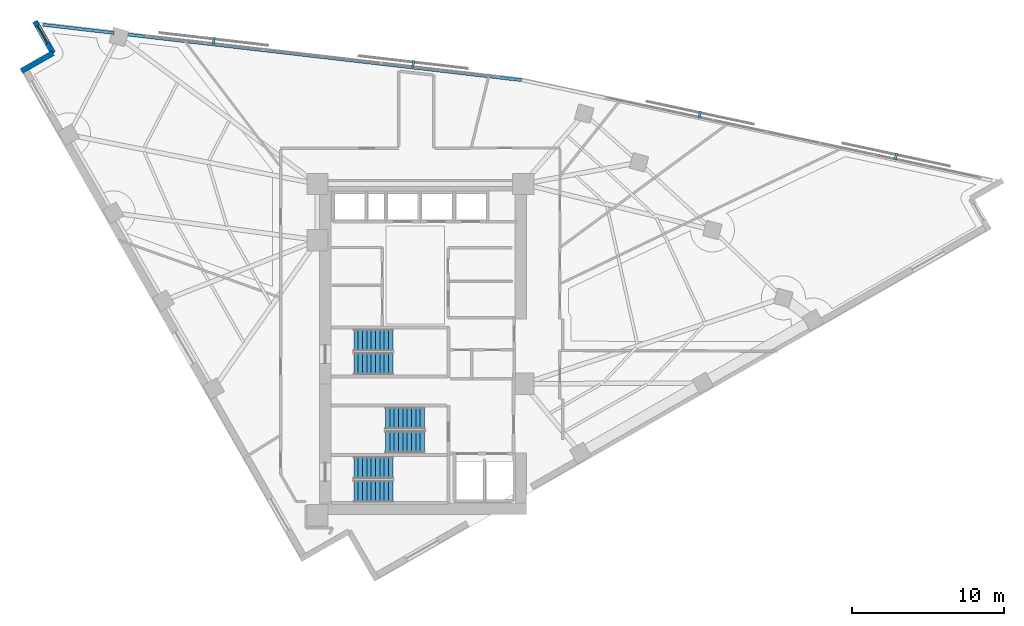
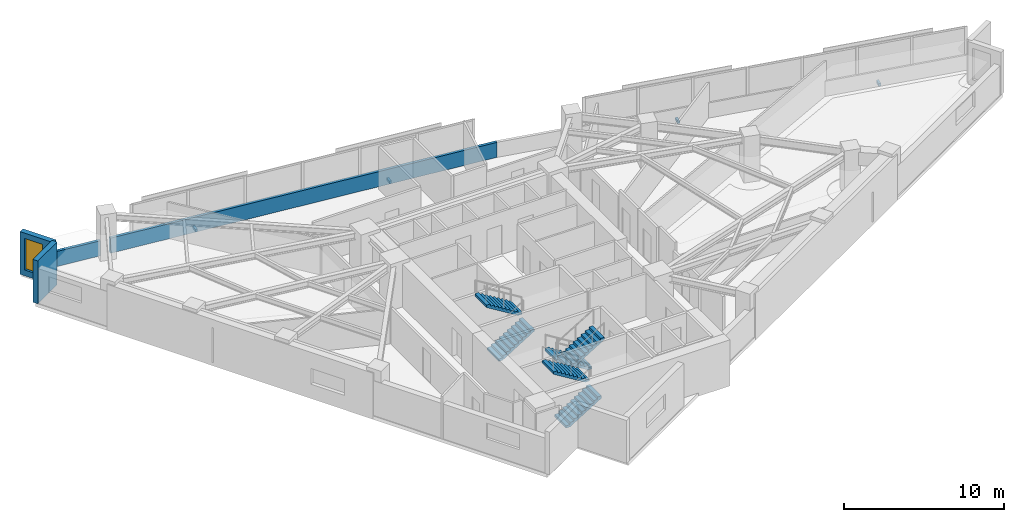
# One storey, part 12 of 14: 6 stair flights, 4 discrete accessories, 4 walls, 1 window, 1 opening, 3 elements without a shape of their own.
"""IFC4 building model written with IfcOpenShell, lengths in metres."""

from ifc_helpers import new_model, si_unit, direction, frame, frame_2d, origin, origin_2d, place, context, subcontext, project, spatial, polyline, rectangle, outline, extrude, material, layer, layer_set, type_object, element, fill, aggregate, save


model = new_model("IFC4")

# Units and contexts
model_context = context("Model", 3, precision=1e-05, world=origin(), true_north=direction((0.0, 1.0)))
body_context = subcontext(model_context, "Body", "Model", "MODEL_VIEW")
ifc_project = project(units=[si_unit("LENGTHUNIT", "METRE"), si_unit("AREAUNIT", "SQUARE_METRE"), si_unit("VOLUMEUNIT", "CUBIC_METRE"), si_unit("PLANEANGLEUNIT", "RADIAN"), si_unit("MASSUNIT", "GRAM", prefix="KILO")], contexts=[model_context])

# Site, building, storey
site_placement = place(None, origin())
site = spatial("IfcSite", under=ifc_project, at=site_placement, CompositionType="ELEMENT")
building_placement = place(site_placement, origin())
building = spatial("IfcBuilding", under=site, at=building_placement, Name="Narakoshi Arena Tower", CompositionType="ELEMENT")
storey_placement = place(building_placement, frame((0.0, 0.0, 204.419921875)))
storey = spatial("IfcBuildingStorey", under=building, at=storey_placement, Name="L55", CompositionType="ELEMENT", Elevation=204.419921875)

# Walls
ifc_material_1 = material(Name="Precast concrete C45/55", Category="concrete")
ifc_layer_1 = layer(ifc_material_1, 0.25)
ifc_layer_set_1 = layer_set([ifc_layer_1], Name="Precast concrete C45/55")
wall_type_1 = type_object("IfcWallType", Name="WL-PARA-250", PredefinedType="PARAPET", material=ifc_layer_set_1)
wall_1_placement = place(storey_placement, frame((85.42431640625, 63.33837890625, 0.0), z_axis=(0.0, 0.0, 1.0), x_axis=(-0.993364714048, 0.115006716693, 0.0)))
element("IfcWall", 1, at=wall_1_placement, inside=storey, type_object=wall_type_1, Name="L55 Hypotenuse Sill Upstand Parapet 2-01", PredefinedType="PARAPET", context=body_context, shape_type="SweptSolid", body=[
    extrude(rectangle(XDim=26.302001953125, YDim=0.199951171875, at=frame_2d((13.15087890625, 0.0))), origin(), (0.0, 0.0, 1.0), 1.150146484375),
])
wall_2_placement = place(storey_placement, frame((58.621826171875, 66.44140625, 0.0), z_axis=(0.0, 0.0, 1.0), x_axis=(-0.993362937665, 0.115022059074, 0.0)))
element("IfcWall", 2, at=wall_2_placement, inside=storey, type_object=wall_type_1, Name="L55 Hypotenuse Sill Upstand Parapet 2-02", PredefinedType="PARAPET", context=body_context, shape_type="SweptSolid", body=[
    extrude(rectangle(XDim=4.72705078125, YDim=0.199951171875, at=frame_2d((2.363525390625, 0.0))), origin(), (0.0, 0.0, 1.0), 1.150146484375),
])

# Wall, opening, window
ifc_layer_2 = layer(ifc_material_1, 0.419921875)
ifc_layer_set_2 = layer_set([ifc_layer_2], Name="Precast concrete C45/55")
wall_type_2 = type_object("IfcWallType", Name="WL-POD-420", PredefinedType="SOLIDWALL", material=ifc_layer_set_2)
wall_3_placement = place(storey_placement, frame((53.408203125, 67.2060546875, 0.0), z_axis=(0.0, 0.0, 1.0), x_axis=(0.496292324652, -0.868155474838, 0.0)))
wall_3 = element("IfcWall", 3, at=wall_3_placement, inside=storey, type_object=wall_type_2, Name="L55 Re-Entrant Corner Notch Wall NTN-1", PredefinedType="SOLIDWALL", context=body_context, shape_type="SweptSolid", body=[
    extrude(rectangle(XDim=2.399658203125, YDim=0.360107421875, at=frame_2d((1.19970703125, 0.0))), origin(), (0.0, 0.0, 1.0), 3.260009765625),
])
opening_placement = place(wall_3_placement, frame((0.340087890625, 0.0, 0.449951171875)))
opening = element("IfcOpeningElement", 4, at=opening_placement, cuts=wall_3, Name="Opening WN-06", PredefinedType="OPENING", context=body_context, shape_type="SweptSolid", body=[
    extrude(rectangle(XDim=1.300048828125, YDim=2.39990234375, at=frame_2d((0.64990234375, 1.199951171875))), frame((0.0, 0.18994140625, 0.0), z_axis=(0.0, -1.0, 0.0), x_axis=(1.0, 0.0, 0.0)), (0.0, 0.0, 1.0), 0.380126953125),
])
ifc_material_2 = material(Name="Bronze-tinted low-E laminated glass", Category="glass")
window_type = type_object("IfcWindowType", Name="WIN-NTC-16x24", PartitioningType="SINGLE_PANEL", PredefinedType="WINDOW", material=ifc_material_2)
window_placement = place(opening_placement, origin())
window = element("IfcWindow", 5, at=window_placement, inside=storey, type_object=window_type, Name="L55 Corner Notch Window NTN", OverallHeight=2.39990234375, OverallWidth=1.300048828125, PartitioningType="SINGLE_PANEL", PredefinedType="WINDOW", context=body_context, shape_type="SweptSolid", body=[
    extrude(rectangle(XDim=1.300048828125, YDim=2.39990234375, at=frame_2d((0.64990234375, 1.199951171875))), frame((0.0, 0.030029296875, 0.0), z_axis=(0.0, -1.0, 0.0), x_axis=(1.0, 0.0, 0.0)), (0.0, 0.0, 1.0), 0.06005859375),
])
fill(opening, window)

# Wall
wall_4_placement = place(storey_placement, frame((54.59912109375, 65.122802734375, 0.0), z_axis=(0.0, 0.0, 1.0), x_axis=(-0.86818053093, -0.4962484919, 0.0)))
element("IfcWall", 6, at=wall_4_placement, inside=storey, type_object=wall_type_2, Name="L55 Re-Entrant Corner Notch Wall NTN-2", PredefinedType="SOLIDWALL", context=body_context, shape_type="SweptSolid", body=[
    extrude(rectangle(XDim=2.39990234375, YDim=0.360107421875, at=frame_2d((1.199951171875, 0.0))), origin(), (0.0, 0.0, 1.0), 3.260009765625),
])

# Stair, stair flights
ifc_material_3 = material(Name="Concrete C45/55", Category="concrete")
stair_type = type_object("IfcStairType", Name="STR-CORE-352", PredefinedType="TWO_STRAIGHT_RUN_STAIR", material=ifc_material_3)
stair_1_placement = place(storey_placement, origin())
stair_1 = element("IfcStair", 7, at=stair_1_placement, inside=storey, type_object=stair_type, Name="L55 Core Escape Stair ST1", PredefinedType="TWO_STRAIGHT_RUN_STAIR")
stair_flight_type = type_object("IfcStairFlightType", Name="FLT-145-160", PredefinedType="STRAIGHT", material=ifc_material_1)
stair_flight_1_placement = place(storey_placement, frame((74.39990234375, 36.27490234375, 0.0), z_axis=(0.0, 0.0, 1.0), x_axis=(1.0, 0.0, 0.0)))
stair_flight_1 = element("IfcStairFlight", 8, at=stair_flight_1_placement, type_object=stair_flight_type, Name="ST1 flight 1", NumberOfRisers=10, NumberOfTreads=9, PredefinedType="STRAIGHT", RiserHeight=0.176, TreadLength=0.285, context=body_context, shape_type="SweptSolid", body=[
    extrude(outline(polyline([(0.0, 0.0), (0.0, 0.176025390625), (0.284912109375, 0.176025390625), (0.284912109375, 0.35205078125), (0.570068359375, 0.35205078125), (0.570068359375, 0.528076171875), (0.85498046875, 0.528076171875), (0.85498046875, 0.7041015625), (1.139892578125, 0.7041015625), (1.139892578125, 0.8798828125), (1.425048828125, 0.8798828125), (1.425048828125, 1.055908203125), (1.7099609375, 1.055908203125), (1.7099609375, 1.23193359375), (1.9951171875, 1.23193359375), (1.9951171875, 1.407958984375), (2.280029296875, 1.407958984375), (2.280029296875, 1.583984375), (2.56494140625, 1.583984375), (2.56494140625, 1.760009765625), (2.56494140625, 1.40771484375), (0.285400390625, 0.0), (0.0, 0.0)])), frame((0.0, 0.72509765625, 0.0), z_axis=(0.0, -1.0, 0.0), x_axis=(1.0, 0.0, 0.0)), (0.0, 0.0, 1.0), 1.449951171875),
])
stair_flight_2_placement = place(storey_placement, frame((76.965087890625, 37.824951171875, 1.760009765625), z_axis=(0.0, 0.0, 1.0), x_axis=(-1.0, 0.0, 0.0)))
stair_flight_2 = element("IfcStairFlight", 9, at=stair_flight_2_placement, type_object=stair_flight_type, Name="ST1 flight 2", NumberOfRisers=10, NumberOfTreads=9, PredefinedType="STRAIGHT", RiserHeight=0.176, TreadLength=0.285, context=body_context, shape_type="SweptSolid", body=[
    extrude(outline(polyline([(0.0, 0.0), (0.0, 0.176025390625), (0.284912109375, 0.176025390625), (0.284912109375, 0.35205078125), (0.570068359375, 0.35205078125), (0.570068359375, 0.528076171875), (0.85498046875, 0.528076171875), (0.85498046875, 0.7041015625), (1.139892578125, 0.7041015625), (1.139892578125, 0.8798828125), (1.425048828125, 0.8798828125), (1.425048828125, 1.055908203125), (1.7099609375, 1.055908203125), (1.7099609375, 1.23193359375), (1.9951171875, 1.23193359375), (1.9951171875, 1.407958984375), (2.280029296875, 1.407958984375), (2.280029296875, 1.583984375), (2.56494140625, 1.583984375), (2.56494140625, 1.760009765625), (2.56494140625, 1.40771484375), (0.285400390625, 0.0), (0.0, 0.0)])), frame((0.0, 0.72509765625, 0.0), z_axis=(0.0, -1.0, 0.0), x_axis=(1.0, 0.0, 0.0)), (0.0, 0.0, 1.0), 1.449951171875),
])
aggregate(stair_1, [stair_flight_1, stair_flight_2])

stair_2_placement = place(storey_placement, origin())
stair_2 = element("IfcStair", 10, at=stair_2_placement, inside=storey, type_object=stair_type, Name="L55 Core Escape Stair ST2", PredefinedType="TWO_STRAIGHT_RUN_STAIR")
stair_flight_3_placement = place(storey_placement, frame((79.050048828125, 41.074951171875, 0.0), z_axis=(0.0, 0.0, 1.0), x_axis=(-1.0, 0.0, 0.0)))
stair_flight_3 = element("IfcStairFlight", 11, at=stair_flight_3_placement, type_object=stair_flight_type, Name="ST2 flight 1", NumberOfRisers=10, NumberOfTreads=9, PredefinedType="STRAIGHT", RiserHeight=0.176, TreadLength=0.285, context=body_context, shape_type="SweptSolid", body=[
    extrude(outline(polyline([(0.0, 0.0), (0.0, 0.176025390625), (0.284912109375, 0.176025390625), (0.284912109375, 0.35205078125), (0.570068359375, 0.35205078125), (0.570068359375, 0.528076171875), (0.85498046875, 0.528076171875), (0.85498046875, 0.7041015625), (1.139892578125, 0.7041015625), (1.139892578125, 0.8798828125), (1.425048828125, 0.8798828125), (1.425048828125, 1.055908203125), (1.7099609375, 1.055908203125), (1.7099609375, 1.23193359375), (1.9951171875, 1.23193359375), (1.9951171875, 1.407958984375), (2.280029296875, 1.407958984375), (2.280029296875, 1.583984375), (2.56494140625, 1.583984375), (2.56494140625, 1.760009765625), (2.56494140625, 1.40771484375), (0.285400390625, 0.0), (0.0, 0.0)])), frame((0.0, 0.72509765625, 0.0), z_axis=(0.0, -1.0, 0.0), x_axis=(1.0, 0.0, 0.0)), (0.0, 0.0, 1.0), 1.449951171875),
])
stair_flight_4_placement = place(storey_placement, frame((76.485107421875, 39.52490234375, 1.760009765625), z_axis=(0.0, 0.0, 1.0), x_axis=(1.0, 0.0, 0.0)))
stair_flight_4 = element("IfcStairFlight", 12, at=stair_flight_4_placement, type_object=stair_flight_type, Name="ST2 flight 2", NumberOfRisers=10, NumberOfTreads=9, PredefinedType="STRAIGHT", RiserHeight=0.176, TreadLength=0.285, context=body_context, shape_type="SweptSolid", body=[
    extrude(outline(polyline([(0.0, 0.0), (0.0, 0.176025390625), (0.284912109375, 0.176025390625), (0.284912109375, 0.35205078125), (0.570068359375, 0.35205078125), (0.570068359375, 0.528076171875), (0.85498046875, 0.528076171875), (0.85498046875, 0.7041015625), (1.139892578125, 0.7041015625), (1.139892578125, 0.8798828125), (1.425048828125, 0.8798828125), (1.425048828125, 1.055908203125), (1.7099609375, 1.055908203125), (1.7099609375, 1.23193359375), (1.9951171875, 1.23193359375), (1.9951171875, 1.407958984375), (2.280029296875, 1.407958984375), (2.280029296875, 1.583984375), (2.56494140625, 1.583984375), (2.56494140625, 1.760009765625), (2.56494140625, 1.40771484375), (0.285400390625, 0.0), (0.0, 0.0)])), frame((0.0, 0.72509765625, 0.0), z_axis=(0.0, -1.0, 0.0), x_axis=(1.0, 0.0, 0.0)), (0.0, 0.0, 1.0), 1.449951171875),
])
aggregate(stair_2, [stair_flight_3, stair_flight_4])

stair_3_placement = place(storey_placement, origin())
stair_3 = element("IfcStair", 13, at=stair_3_placement, inside=storey, type_object=stair_type, Name="L55 Core Escape Stair ST3", PredefinedType="TWO_STRAIGHT_RUN_STAIR")
stair_flight_5_placement = place(storey_placement, frame((74.39990234375, 44.675048828125, 0.0), z_axis=(0.0, 0.0, 1.0), x_axis=(1.0, 0.0, 0.0)))
stair_flight_5 = element("IfcStairFlight", 14, at=stair_flight_5_placement, type_object=stair_flight_type, Name="ST3 flight 1", NumberOfRisers=10, NumberOfTreads=9, PredefinedType="STRAIGHT", RiserHeight=0.176, TreadLength=0.285, context=body_context, shape_type="SweptSolid", body=[
    extrude(outline(polyline([(0.0, 0.0), (0.0, 0.176025390625), (0.284912109375, 0.176025390625), (0.284912109375, 0.35205078125), (0.570068359375, 0.35205078125), (0.570068359375, 0.528076171875), (0.85498046875, 0.528076171875), (0.85498046875, 0.7041015625), (1.139892578125, 0.7041015625), (1.139892578125, 0.8798828125), (1.425048828125, 0.8798828125), (1.425048828125, 1.055908203125), (1.7099609375, 1.055908203125), (1.7099609375, 1.23193359375), (1.9951171875, 1.23193359375), (1.9951171875, 1.407958984375), (2.280029296875, 1.407958984375), (2.280029296875, 1.583984375), (2.56494140625, 1.583984375), (2.56494140625, 1.760009765625), (2.56494140625, 1.40771484375), (0.285400390625, 0.0), (0.0, 0.0)])), frame((0.0, 0.72509765625, 0.0), z_axis=(0.0, -1.0, 0.0), x_axis=(1.0, 0.0, 0.0)), (0.0, 0.0, 1.0), 1.449951171875),
])
stair_flight_6_placement = place(storey_placement, frame((76.965087890625, 46.22509765625, 1.760009765625), z_axis=(0.0, 0.0, 1.0), x_axis=(-1.0, 0.0, 0.0)))
stair_flight_6 = element("IfcStairFlight", 15, at=stair_flight_6_placement, type_object=stair_flight_type, Name="ST3 flight 2", NumberOfRisers=10, NumberOfTreads=9, PredefinedType="STRAIGHT", RiserHeight=0.176, TreadLength=0.285, context=body_context, shape_type="SweptSolid", body=[
    extrude(outline(polyline([(0.0, 0.0), (0.0, 0.176025390625), (0.284912109375, 0.176025390625), (0.284912109375, 0.35205078125), (0.570068359375, 0.35205078125), (0.570068359375, 0.528076171875), (0.85498046875, 0.528076171875), (0.85498046875, 0.7041015625), (1.139892578125, 0.7041015625), (1.139892578125, 0.8798828125), (1.425048828125, 0.8798828125), (1.425048828125, 1.055908203125), (1.7099609375, 1.055908203125), (1.7099609375, 1.23193359375), (1.9951171875, 1.23193359375), (1.9951171875, 1.407958984375), (2.280029296875, 1.407958984375), (2.280029296875, 1.583984375), (2.56494140625, 1.583984375), (2.56494140625, 1.760009765625), (2.56494140625, 1.40771484375), (0.285400390625, 0.0), (0.0, 0.0)])), frame((0.0, 0.72509765625, 0.0), z_axis=(0.0, -1.0, 0.0), x_axis=(1.0, 0.0, 0.0)), (0.0, 0.0, 1.0), 1.449951171875),
])
aggregate(stair_3, [stair_flight_5, stair_flight_6])

# Discrete accessories
ifc_material_4 = material(Name="Structural steel S355J2", Category="steel")
discrete_accessory_type = type_object("IfcDiscreteAccessoryType", Name="ACC-BRK-SCR", PredefinedType="BRACKET", material=ifc_material_4)
for number, where, z_axis, x_axis, name in (
    (16, (110.078125, 58.316650390625, -0.080078125), (0.0, 0.0, 1.0), (-0.977936632473, 0.208901754101, 0.0), "L55 Solar Screen Support Bracket SHD-L55-SCR1-1"),
    (17, (97.169189453125, 61.07421875, -0.080078125), (0.0, 0.0, 1.0), (-0.977936632473, 0.208901754101, 0.0), "L55 Solar Screen Support Bracket SHD-L55-SCR1-2"),
    (18, (78.2998046875, 64.40478515625, -0.080078125), (0.0, 0.0, 1.0), (-0.993364739053, 0.115006500715, 0.0), "L55 Solar Screen Support Bracket SHD-L55-SCR2-1"),
    (19, (65.187255859375, 65.9228515625, -0.080078125), (0.0, 0.0, 1.0), (-0.993364739053, 0.115006500715, 0.0), "L55 Solar Screen Support Bracket SHD-L55-SCR2-2"),
):
    element("IfcDiscreteAccessory", number, at=place(storey_placement, frame(where, z_axis=z_axis, x_axis=x_axis)), inside=storey, type_object=discrete_accessory_type, Name=name, PredefinedType="BRACKET", context=body_context, shape_type="SweptSolid", body=[
        extrude(rectangle(XDim=0.159912109375, YDim=0.43994140625, at=origin_2d()), origin(), (0.0, 0.0, 1.0), 0.199951171875),
    ])

save(model, "model.ifc")
